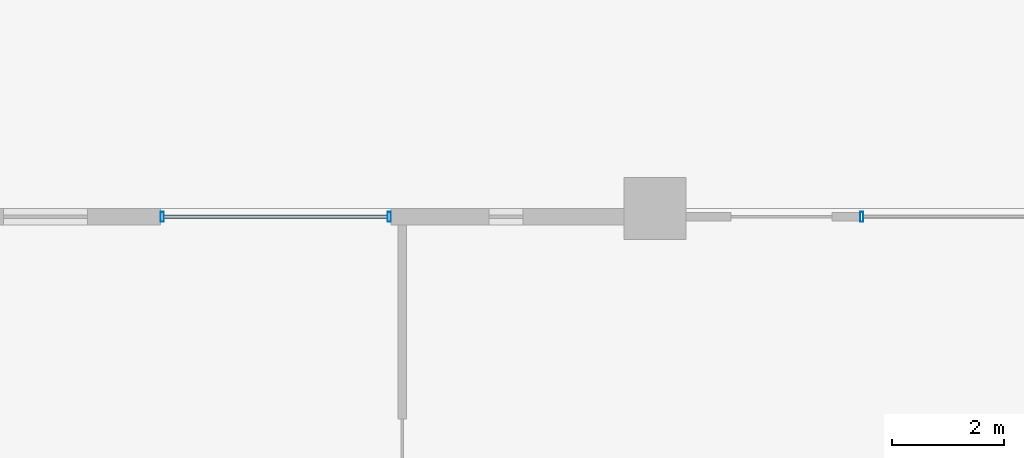
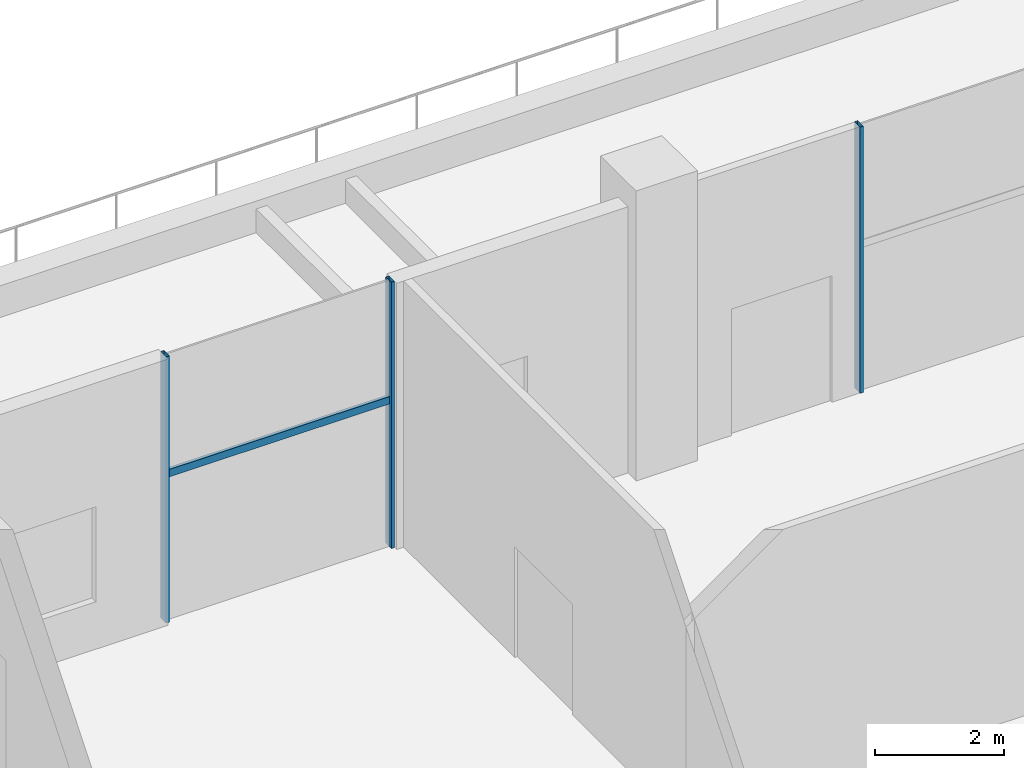
# One storey, part 9 of 47: 4 members, 2 elements without a shape of their own.
"""IFC4 building model written with IfcOpenShell, lengths in metres."""

from ifc_helpers import new_model, si_unit, direction, frame, origin, origin_2d, place, context, subcontext, project, spatial, hollow_rectangle, extrude, material, material_profile, profile_set, type_object, element, aggregate, save


model = new_model("IFC4")

# Units and contexts
model_context = context("Model", 3, precision=1e-05, world=origin(), true_north=direction((0.0, 1.0)))
body_context = subcontext(model_context, "Body", "Model", "MODEL_VIEW")
ifc_project = project(units=[si_unit("LENGTHUNIT", "METRE"), si_unit("AREAUNIT", "SQUARE_METRE"), si_unit("VOLUMEUNIT", "CUBIC_METRE"), si_unit("PLANEANGLEUNIT", "RADIAN"), si_unit("MASSUNIT", "GRAM", prefix="KILO")], contexts=[model_context])

# Site, building, storey
site_placement = place(None, origin())
site = spatial("IfcSite", under=ifc_project, at=site_placement, CompositionType="ELEMENT")
building_placement = place(site_placement, origin())
building = spatial("IfcBuilding", under=site, at=building_placement, Name="Altepetl Exchange Towers", CompositionType="ELEMENT")
storey_placement = place(building_placement, frame((0.0, 0.0, 6.0)))
storey = spatial("IfcBuildingStorey", under=building, at=storey_placement, Name="L01 Retail podium", CompositionType="ELEMENT", Elevation=6.0)

# Curtain wall, member
ifc_material_1 = material(Name="Aluminium 6063-T6 glazing", Category="aluminium")
curtain_wall_type = type_object("IfcCurtainWallType", Name="Podium storefront system", PredefinedType="NOTDEFINED", material=ifc_material_1)
curtain_wall_1_placement = place(storey_placement, origin())
curtain_wall_1 = element("IfcCurtainWall", 1, at=curtain_wall_1_placement, inside=storey, type_object=curtain_wall_type, Name="CW5 run", PredefinedType="NOTDEFINED")
ifc_material_2 = material(Name="Aluminium 6063-T6", Category="aluminium")
ifc_material_profile_1 = material_profile(ifc_material_2, hollow_rectangle(XDim=0.06005859375, YDim=0.175048828125, WallThickness=0.0029296875, at=origin_2d()), Name="Mullion 60x175 aluminium")
ifc_profile_set_1 = profile_set([ifc_material_profile_1], Name="Aluminium 6063-T6")
member_type_1 = type_object("IfcMemberType", Name="Mullion 60x175 aluminium", PredefinedType="MULLION", material=ifc_profile_set_1)
member_1_placement = place(storey_placement, frame((26.179931640625, 89.85009765625, 0.0), z_axis=(0.0, 0.0, 1.0), x_axis=(-1.0, 0.0, 0.0)))
member_1 = element("IfcMember", 2, at=member_1_placement, type_object=member_type_1, Name="MU4 mullion", PredefinedType="MULLION", context=body_context, shape_type="SweptSolid", body=[
    extrude(hollow_rectangle(XDim=0.06005859375, YDim=0.175048828125, WallThickness=0.0029296875, at=origin_2d()), origin(), (0.0, 0.0, 1.0), 5.050048828125),
])
aggregate(curtain_wall_1, [member_1])

# Curtain wall, members
curtain_wall_2_placement = place(storey_placement, origin())
curtain_wall_2 = element("IfcCurtainWall", 3, at=curtain_wall_2_placement, inside=storey, type_object=curtain_wall_type, Name="CW5 run", PredefinedType="NOTDEFINED")
member_2_placement = place(storey_placement, frame((17.77001953125, 89.85009765625, 0.0), z_axis=(0.0, 0.0, 1.0), x_axis=(-1.0, 0.0, 0.0)))
member_2 = element("IfcMember", 4, at=member_2_placement, type_object=member_type_1, Name="MU4 mullion", PredefinedType="MULLION", context=body_context, shape_type="SweptSolid", body=[
    extrude(hollow_rectangle(XDim=0.06005859375, YDim=0.175048828125, WallThickness=0.0029296875, at=origin_2d()), origin(), (0.0, 0.0, 1.0), 5.050048828125),
])
member_3_placement = place(storey_placement, frame((13.72998046875, 89.85009765625, 0.0), z_axis=(0.0, 0.0, 1.0), x_axis=(-1.0, 0.0, 0.0)))
member_3 = element("IfcMember", 5, at=member_3_placement, type_object=member_type_1, Name="MU4 mullion", PredefinedType="MULLION", context=body_context, shape_type="SweptSolid", body=[
    extrude(hollow_rectangle(XDim=0.06005859375, YDim=0.175048828125, WallThickness=0.0029296875, at=origin_2d()), origin(), (0.0, 0.0, 1.0), 5.050048828125),
])
ifc_material_profile_2 = material_profile(ifc_material_2, hollow_rectangle(XDim=0.06005859375, YDim=0.139892578125, WallThickness=0.0029296875, at=origin_2d()), Name="Transom 60x140 aluminium")
ifc_profile_set_2 = profile_set([ifc_material_profile_2], Name="Aluminium 6063-T6")
member_type_2 = type_object("IfcMemberType", Name="Transom 60x140 aluminium", PredefinedType="USERDEFINED", material=ifc_profile_set_2)
member_4_placement = place(storey_placement, frame((17.739990234375, 89.85009765625, 2.780029296875), z_axis=(-1.0, 0.0, 0.0), x_axis=(0.0, -1.0, 0.0)))
member_4 = element("IfcMember", 6, at=member_4_placement, type_object=member_type_2, Name="TR3 transom", ObjectType="TRANSOM", PredefinedType="USERDEFINED", context=body_context, shape_type="SweptSolid", body=[
    extrude(hollow_rectangle(XDim=0.06005859375, YDim=0.139892578125, WallThickness=0.0029296875, at=origin_2d()), origin(), (0.0, 0.0, 1.0), 3.97998046875),
])
aggregate(curtain_wall_2, [member_2, member_3, member_4])

save(model, "model.ifc")
